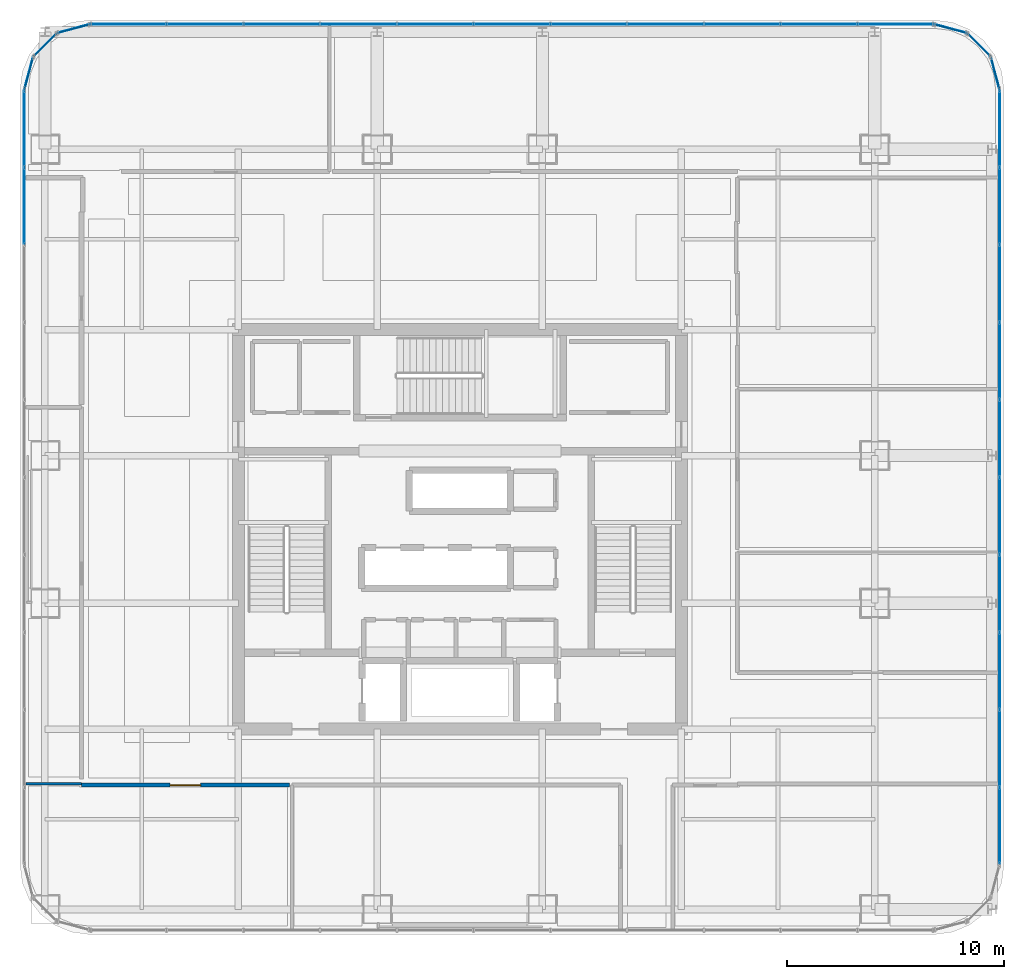
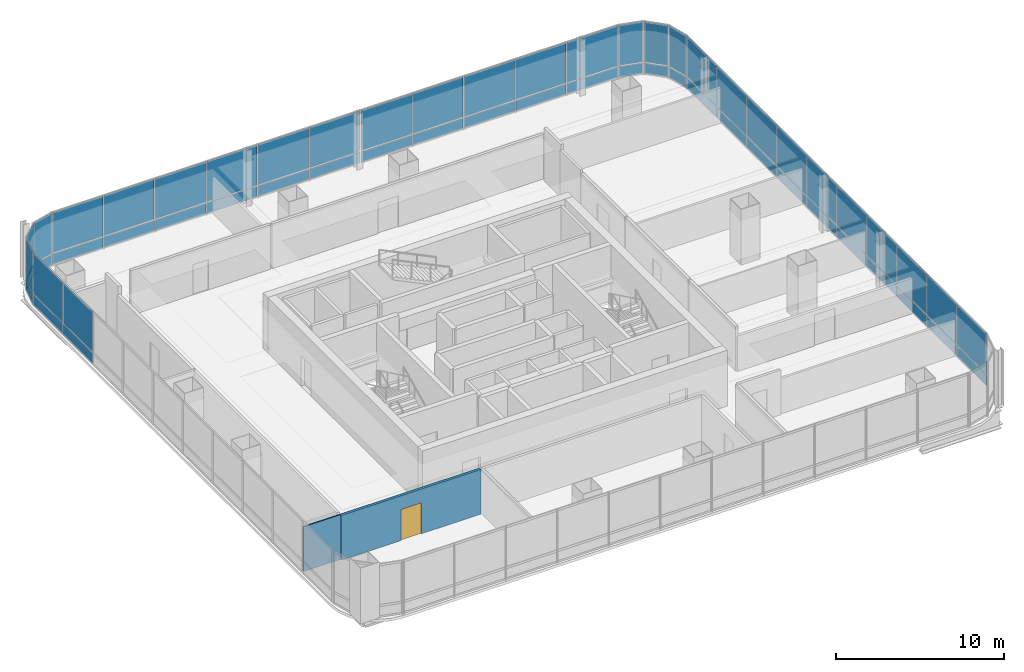
# One storey, part 32 of 42: 58 plates, 2 walls, 1 door, 1 opening, 9 elements without a shape of their own.
"""IFC4 building model written with IfcOpenShell, lengths in metres."""

import ifcopenshell
import ifcopenshell.guid

model = None  # the IFC model being written
_history = None  # IfcOwnerHistory: only IFC2X3 demands one
_inside = {}  # id of a spatial element -> (the spatial element, [elements in it])
_under = {}  # id of a project, library or spatial element -> (it, [spatial elements below it])
_declared = {}  # id of a project -> (the project, [libraries it declares])
_typed = {}  # id of a type object -> (the type object, [elements of that type])
_made_of = {}  # id of a material, layer set ... -> (it, [elements and type objects made of it])


def new_model(schema):
    """Start an empty IFC model of exactly this schema.

    Asked for "IFC4X3", IfcOpenShell would pick the latest addendum, in which some entities
    have other attributes; the version numbers below select the first issue.
    IFC2X3 requires an IfcOwnerHistory on every rooted entity: one is made here for all.
    """
    global model, _history
    if schema == "IFC4X3":
        model = ifcopenshell.file(schema_version=(4, 3, 0, 0))
    else:
        model = ifcopenshell.file(schema=schema)
    _inside.clear()
    _under.clear()
    _declared.clear()
    _typed.clear()
    _made_of.clear()
    _history = None
    if model.schema == "IFC2X3":
        org = make("IfcOrganization", Name="unknown")
        user = make(
            "IfcPersonAndOrganization",
            ThePerson=make("IfcPerson", FamilyName="unknown"),
            TheOrganization=org,
        )
        app = make(
            "IfcApplication",
            ApplicationDeveloper=org,
            Version="unknown",
            ApplicationFullName="unknown",
            ApplicationIdentifier="unknown",
        )
        _history = make(
            "IfcOwnerHistory",
            OwningUser=user,
            OwningApplication=app,
            ChangeAction="ADDED",
            CreationDate=0,
        )
    return model


def make(cls, **values):
    """One entity of the class cls with the attributes given. An attribute that is None is left unset."""
    return model.create_entity(
        cls, **{name: value for name, value in values.items() if value is not None}
    )


def rooted(cls, **values):
    """An entity with a GlobalId (a new one), such as an element, a storey or a relation."""
    return make(cls, GlobalId=ifcopenshell.guid.new(), OwnerHistory=_history, **values)


def si_unit(unit_type, name, prefix=None):
    """IfcSIUnit, for example si_unit("LENGTHUNIT", "METRE", prefix="MILLI")."""
    return make("IfcSIUnit", UnitType=unit_type, Prefix=prefix, Name=name)


def assignment(units):
    """IfcUnitAssignment: the units of a project."""
    return None if units is None else make("IfcUnitAssignment", Units=units)


def point(xyz):
    """IfcCartesianPoint."""
    return None if xyz is None else make("IfcCartesianPoint", Coordinates=xyz)


def direction(xyz):
    """IfcDirection."""
    return None if xyz is None else make("IfcDirection", DirectionRatios=xyz)


def frame(location, z_axis=None, x_axis=None):
    """IfcAxis2Placement3D, a coordinate frame: its origin and axes. An axis left out is left unset."""
    return make(
        "IfcAxis2Placement3D",
        Location=point(location),
        Axis=direction(z_axis),
        RefDirection=direction(x_axis),
    )


def frame_2d(location, x_axis=None):
    """IfcAxis2Placement2D, a coordinate frame in the plane: its origin and x axis."""
    return make(
        "IfcAxis2Placement2D", Location=point(location), RefDirection=direction(x_axis)
    )


def origin():
    """The frame at (0, 0, 0) with its axes left unset."""
    return frame((0.0, 0.0, 0.0))


def origin_2d():
    """The frame at (0, 0) in the plane with its x axis left unset."""
    return frame_2d((0.0, 0.0))


def place(relative_to, where):
    """IfcLocalPlacement: puts the frame where relative to a parent placement (None: the world)."""
    return make(
        "IfcLocalPlacement", PlacementRelTo=relative_to, RelativePlacement=where
    )


def context(
    kind, dimensions, precision=None, world=None, true_north=None, identifier=None
):
    """IfcGeometricRepresentationContext, for example the 3D "Model" context."""
    return make(
        "IfcGeometricRepresentationContext",
        ContextIdentifier=identifier,
        ContextType=kind,
        CoordinateSpaceDimension=dimensions,
        Precision=precision,
        WorldCoordinateSystem=world,
        TrueNorth=true_north,
    )


def subcontext(parent, identifier, kind, view, scale=None):
    """IfcGeometricRepresentationSubContext, for example "Body" below "Model"."""
    return make(
        "IfcGeometricRepresentationSubContext",
        ContextIdentifier=identifier,
        ContextType=kind,
        ParentContext=parent,
        TargetScale=scale,
        TargetView=view,
    )


def project(units=None, contexts=None):
    """IfcProject with its units and contexts."""
    return rooted(
        "IfcProject",
        Name="project",
        RepresentationContexts=contexts,
        UnitsInContext=assignment(units),
    )


def spatial(cls, under=None, at=None, **own):
    """A site, building, storey or space (cls), placed at a placement, below another one or the project."""
    s = rooted(cls, ObjectPlacement=at, **own)
    if under is not None:
        _under.setdefault(under.id(), (under, []))[1].append(s)
    return s


def profile(cls, at=None, kind="AREA", **sizes):
    """A parametric profile (cls). Its sizes go by their IFC names, for example OverallWidth=200.0."""
    return make(cls, ProfileType=kind, Position=at, **sizes)


def rectangle(**sizes):
    """IfcRectangleProfileDef."""
    return profile("IfcRectangleProfileDef", **sizes)


def extrude(swept, where, along, depth):
    """IfcExtrudedAreaSolid: the profile swept, set in the frame where, extruded along a direction by depth."""
    return make(
        "IfcExtrudedAreaSolid",
        SweptArea=swept,
        Position=where,
        ExtrudedDirection=direction(along),
        Depth=depth,
    )


def shape(context_of_items, identifier, shape_type, items):
    """IfcShapeRepresentation: the items that make up one representation, for example the "Body"."""
    return make(
        "IfcShapeRepresentation",
        ContextOfItems=context_of_items,
        RepresentationIdentifier=identifier,
        RepresentationType=shape_type,
        Items=items,
    )


def material(Name=None, Category=None):
    """IfcMaterial."""
    return make("IfcMaterial", Name=Name, Category=Category)


def layer(
    of_material, thickness, ventilated=None, Name=None, Category=None, Priority=None
):
    """IfcMaterialLayer: one layer of a wall or slab, of a material (None: an air gap)."""
    return make(
        "IfcMaterialLayer",
        Material=of_material,
        LayerThickness=thickness,
        IsVentilated=ventilated,
        Name=Name,
        Category=Category,
        Priority=Priority,
    )


def layer_set(layers, Name=None):
    """IfcMaterialLayerSet."""
    return make("IfcMaterialLayerSet", MaterialLayers=layers, LayerSetName=Name)


def made_of(thing, what):
    """Note that an element or type object is made of a material, layer set ...; save() writes the relation."""
    if what is not None:
        _made_of.setdefault(what.id(), (what, []))[1].append(thing)
    return thing


def type_object(cls, material=None, **own):
    """A type object (cls), such as IfcWallType, which elements share."""
    return made_of(rooted(cls, **own), material)


def element(
    cls,
    number,
    at=None,
    inside=None,
    cuts=None,
    type_object=None,
    material=None,
    context=None,
    identifier="Body",
    shape_type=None,
    held_by="IfcProductDefinitionShape",
    body=None,
    shapes=None,
    **own,
):
    """One element of the class cls, such as IfcWall. Its Tag is "e" and its number.

    at: its placement. inside: the storey or other place that contains it. cuts: it is an
    opening in that element (IfcRelVoidsElement). A single representation is given by context,
    identifier, shape_type and body (its items); several are given by shapes. held_by: the class
    of the entity that holds the representations. save() writes the other relations.
    """
    e = rooted(cls, Tag="e%d" % number, ObjectPlacement=at, **own)
    if body is not None:
        shapes = [shape(context, identifier, shape_type, body)]
    if shapes is not None:
        e.Representation = make(held_by, Representations=shapes)
    if inside is not None:
        _inside.setdefault(inside.id(), (inside, []))[1].append(e)
    if cuts is not None:
        rooted(
            "IfcRelVoidsElement", RelatingBuildingElement=cuts, RelatedOpeningElement=e
        )
    if type_object is not None:
        _typed.setdefault(type_object.id(), (type_object, []))[1].append(e)
    return made_of(e, material)


def fill(opening, filler):
    """IfcRelFillsElement: the door or window that sits in an opening."""
    return rooted(
        "IfcRelFillsElement",
        RelatingOpeningElement=opening,
        RelatedBuildingElement=filler,
    )


def aggregate(whole, parts):
    """IfcRelAggregates: a whole, such as a stair, and the parts it consists of."""
    return rooted("IfcRelAggregates", RelatingObject=whole, RelatedObjects=parts)


def save(model, path):
    """Write the relations noted so far, then the file.

    IfcRelAggregates (storeys below a building ...), IfcRelContainedInSpatialStructure (elements
    in a storey), IfcRelDefinesByType, IfcRelAssociatesMaterial and IfcRelDeclares: one each for
    every whole, place, type object, material and project.
    """
    for whole, parts in _under.values():
        aggregate(whole, parts)
    for where, things in _inside.values():
        rooted(
            "IfcRelContainedInSpatialStructure",
            RelatedElements=things,
            RelatingStructure=where,
        )
    for kind, things in _typed.values():
        rooted("IfcRelDefinesByType", RelatedObjects=things, RelatingType=kind)
    for what, things in _made_of.values():
        rooted("IfcRelAssociatesMaterial", RelatedObjects=things, RelatingMaterial=what)
    for by, libraries in _declared.values():
        rooted("IfcRelDeclares", RelatingContext=by, RelatedDefinitions=libraries)
    model.write(path)


model = new_model("IFC4")

# Units and contexts
model_context = context("Model", 3, precision=1e-05, world=origin(), true_north=direction((0.0, 1.0)))
body_context = subcontext(model_context, "Body", "Model", "MODEL_VIEW")
ifc_project = project(units=[si_unit("LENGTHUNIT", "METRE"), si_unit("AREAUNIT", "SQUARE_METRE"), si_unit("VOLUMEUNIT", "CUBIC_METRE"), si_unit("PLANEANGLEUNIT", "RADIAN"), si_unit("MASSUNIT", "GRAM", prefix="KILO")], contexts=[model_context])

# Site, building, storey
site_placement = place(None, origin())
site = spatial("IfcSite", under=ifc_project, at=site_placement, CompositionType="ELEMENT")
building_placement = place(site_placement, origin())
building = spatial("IfcBuilding", under=site, at=building_placement, Name="Punatoya Terracotta Tower", CompositionType="ELEMENT")
storey_placement = place(building_placement, frame((0.0, 0.0, 259.5)))
storey = spatial("IfcBuildingStorey", under=building, at=storey_placement, Name="L61", CompositionType="ELEMENT", Elevation=259.5)

# Curtain wall, plates
ifc_material_1 = material(Name="Aluminium 6063-T6 + Double Low-E Glass", Category="aluminium")
curtain_wall_type = type_object("IfcCurtainWallType", Name="CW-M3", PredefinedType="NOTDEFINED", material=ifc_material_1)
curtain_wall_1_placement = place(storey_placement, origin())
curtain_wall_1 = element("IfcCurtainWall", 1, at=curtain_wall_1_placement, inside=storey, type_object=curtain_wall_type, Name="L61 Curtain Wall CW-L61-E05-1", PredefinedType="NOTDEFINED")
ifc_material_2 = material(Name="Double Low-E Acoustic Vision Glass", Category="glass")
ifc_layer_1 = layer(ifc_material_2, 0.031982421875)
ifc_layer_set_1 = layer_set([ifc_layer_1], Name="Double Low-E Acoustic Vision Glass")
plate_type_1 = type_object("IfcPlateType", Name="PLT-GLZ-32", PredefinedType="CURTAIN_PANEL", material=ifc_layer_set_1)
plate_1_placement = place(storey_placement, frame((24.85009765625, -13.6533203125, 0.89013671875), z_axis=(0.0, 0.0, 1.0), x_axis=(0.0, 1.0, 0.0)))
plate_1 = element("IfcPlate", 2, at=plate_1_placement, type_object=plate_type_1, Name="CW-L61-E05-1 Vision Glass Panel 1", PredefinedType="CURTAIN_PANEL", context=body_context, shape_type="SweptSolid", body=[
    extrude(rectangle(XDim=3.482421875, YDim=0.031982421875, at=origin_2d()), origin(), (0.0, 0.0, 1.0), 2.919921875),
])
plate_2_placement = place(storey_placement, frame((24.85009765625, -10.085693359375, 0.89013671875), z_axis=(0.0, 0.0, 1.0), x_axis=(0.0, 1.0, 0.0)))
plate_2 = element("IfcPlate", 3, at=plate_2_placement, type_object=plate_type_1, Name="CW-L61-E05-1 Vision Glass Panel 2", PredefinedType="CURTAIN_PANEL", context=body_context, shape_type="SweptSolid", body=[
    extrude(rectangle(XDim=3.482421875, YDim=0.031982421875, at=origin_2d()), origin(), (0.0, 0.0, 1.0), 2.919921875),
])
plate_3_placement = place(storey_placement, frame((24.85009765625, -6.518310546875, 0.89013671875), z_axis=(0.0, 0.0, 1.0), x_axis=(0.0, 1.0, 0.0)))
plate_3 = element("IfcPlate", 4, at=plate_3_placement, type_object=plate_type_1, Name="CW-L61-E05-1 Vision Glass Panel 3", PredefinedType="CURTAIN_PANEL", context=body_context, shape_type="SweptSolid", body=[
    extrude(rectangle(XDim=3.482421875, YDim=0.031982421875, at=origin_2d()), origin(), (0.0, 0.0, 1.0), 2.919921875),
])
plate_4_placement = place(storey_placement, frame((24.85009765625, -2.951171875, 0.89013671875), z_axis=(0.0, 0.0, 1.0), x_axis=(0.0, 1.0, 0.0)))
plate_4 = element("IfcPlate", 5, at=plate_4_placement, type_object=plate_type_1, Name="CW-L61-E05-1 Vision Glass Panel 4", PredefinedType="CURTAIN_PANEL", context=body_context, shape_type="SweptSolid", body=[
    extrude(rectangle(XDim=3.482421875, YDim=0.031982421875, at=origin_2d()), origin(), (0.0, 0.0, 1.0), 2.919921875),
])
plate_5_placement = place(storey_placement, frame((24.85009765625, 0.6162109375, 0.89013671875), z_axis=(0.0, 0.0, 1.0), x_axis=(0.0, 1.0, 0.0)))
plate_5 = element("IfcPlate", 6, at=plate_5_placement, type_object=plate_type_1, Name="CW-L61-E05-1 Vision Glass Panel 5", PredefinedType="CURTAIN_PANEL", context=body_context, shape_type="SweptSolid", body=[
    extrude(rectangle(XDim=3.482421875, YDim=0.031982421875, at=origin_2d()), origin(), (0.0, 0.0, 1.0), 2.919921875),
])
plate_6_placement = place(storey_placement, frame((24.85009765625, 4.18359375, 0.89013671875), z_axis=(0.0, 0.0, 1.0), x_axis=(0.0, 1.0, 0.0)))
plate_6 = element("IfcPlate", 7, at=plate_6_placement, type_object=plate_type_1, Name="CW-L61-E05-1 Vision Glass Panel 6", PredefinedType="CURTAIN_PANEL", context=body_context, shape_type="SweptSolid", body=[
    extrude(rectangle(XDim=3.482421875, YDim=0.031982421875, at=origin_2d()), origin(), (0.0, 0.0, 1.0), 2.919921875),
])
plate_7_placement = place(storey_placement, frame((24.85009765625, 7.751220703125, 0.89013671875), z_axis=(0.0, 0.0, 1.0), x_axis=(0.0, 1.0, 0.0)))
plate_7 = element("IfcPlate", 8, at=plate_7_placement, type_object=plate_type_1, Name="CW-L61-E05-1 Vision Glass Panel 7", PredefinedType="CURTAIN_PANEL", context=body_context, shape_type="SweptSolid", body=[
    extrude(rectangle(XDim=3.482421875, YDim=0.031982421875, at=origin_2d()), origin(), (0.0, 0.0, 1.0), 2.919921875),
])
plate_8_placement = place(storey_placement, frame((24.85009765625, 11.318359375, 0.89013671875), z_axis=(0.0, 0.0, 1.0), x_axis=(0.0, 1.0, 0.0)))
plate_8 = element("IfcPlate", 9, at=plate_8_placement, type_object=plate_type_1, Name="CW-L61-E05-1 Vision Glass Panel 8", PredefinedType="CURTAIN_PANEL", context=body_context, shape_type="SweptSolid", body=[
    extrude(rectangle(XDim=3.482421875, YDim=0.031982421875, at=origin_2d()), origin(), (0.0, 0.0, 1.0), 2.919921875),
])
plate_9_placement = place(storey_placement, frame((24.85009765625, 14.8857421875, 0.89013671875), z_axis=(0.0, 0.0, 1.0), x_axis=(0.0, 1.0, 0.0)))
plate_9 = element("IfcPlate", 10, at=plate_9_placement, type_object=plate_type_1, Name="CW-L61-E05-1 Vision Glass Panel 9", PredefinedType="CURTAIN_PANEL", context=body_context, shape_type="SweptSolid", body=[
    extrude(rectangle(XDim=3.482421875, YDim=0.031982421875, at=origin_2d()), origin(), (0.0, 0.0, 1.0), 2.919921875),
])
plate_10_placement = place(storey_placement, frame((24.85009765625, 18.453125, 0.89013671875), z_axis=(0.0, 0.0, 1.0), x_axis=(0.0, 1.0, 0.0)))
plate_10 = element("IfcPlate", 11, at=plate_10_placement, type_object=plate_type_1, Name="CW-L61-E05-1 Vision Glass Panel 10", PredefinedType="CURTAIN_PANEL", context=body_context, shape_type="SweptSolid", body=[
    extrude(rectangle(XDim=3.482421875, YDim=0.031982421875, at=origin_2d()), origin(), (0.0, 0.0, 1.0), 2.919921875),
])

# Curtain wall, plate
curtain_wall_2_placement = place(storey_placement, origin())
curtain_wall_2 = element("IfcCurtainWall", 12, at=curtain_wall_2_placement, inside=storey, type_object=curtain_wall_type, Name="L61 Curtain Wall CW-L61-CRN06", PredefinedType="NOTDEFINED")
plate_11_placement = place(storey_placement, frame((24.648193359375, 20.992919921875, 0.89013671875), z_axis=(0.0, 0.0, 1.0), x_axis=(-0.257741620719, 0.966213877436, 0.0)))
plate_11 = element("IfcPlate", 13, at=plate_11_placement, type_object=plate_type_1, Name="CW-L61-CRN06 Vision Glass Panel 1", PredefinedType="CURTAIN_PANEL", context=body_context, shape_type="SweptSolid", body=[
    extrude(rectangle(XDim=1.47998046875, YDim=0.031982421875, at=origin_2d()), origin(), (0.0, 0.0, 1.0), 2.919921875),
])

curtain_wall_3_placement = place(storey_placement, origin())
curtain_wall_3 = element("IfcCurtainWall", 14, at=curtain_wall_3_placement, inside=storey, type_object=curtain_wall_type, Name="L61 Curtain Wall CW-L61-CRN07", PredefinedType="NOTDEFINED")
plate_12_placement = place(storey_placement, frame((23.89794921875, 22.2978515625, 0.89013671875), z_axis=(0.0, 0.0, 1.0), x_axis=(-0.707106781187, 0.707106781187, 0.0)))
plate_12 = element("IfcPlate", 15, at=plate_12_placement, type_object=plate_type_1, Name="CW-L61-CRN07 Vision Glass Panel 1", PredefinedType="CURTAIN_PANEL", context=body_context, shape_type="SweptSolid", body=[
    extrude(rectangle(XDim=1.467041015625, YDim=0.031982421875, at=origin_2d()), origin(), (0.0, 0.0, 1.0), 2.919921875),
])

curtain_wall_4_placement = place(storey_placement, origin())
curtain_wall_4 = element("IfcCurtainWall", 16, at=curtain_wall_4_placement, inside=storey, type_object=curtain_wall_type, Name="L61 Curtain Wall CW-L61-CRN08", PredefinedType="NOTDEFINED")
plate_13_placement = place(storey_placement, frame((22.593017578125, 23.04833984375, 0.89013671875), z_axis=(0.0, 0.0, 1.0), x_axis=(-0.966213877436, 0.257741620719, 0.0)))
plate_13 = element("IfcPlate", 17, at=plate_13_placement, type_object=plate_type_1, Name="CW-L61-CRN08 Vision Glass Panel 1", PredefinedType="CURTAIN_PANEL", context=body_context, shape_type="SweptSolid", body=[
    extrude(rectangle(XDim=1.47998046875, YDim=0.031982421875, at=origin_2d()), origin(), (0.0, 0.0, 1.0), 2.919921875),
])

# Curtain wall, plates
curtain_wall_5_placement = place(storey_placement, origin())
curtain_wall_5 = element("IfcCurtainWall", 18, at=curtain_wall_5_placement, inside=storey, type_object=curtain_wall_type, Name="L61 Curtain Wall CW-L61-N09-1", PredefinedType="NOTDEFINED")
plate_14_placement = place(storey_placement, frame((20.06982421875, 23.25, 0.89013671875), z_axis=(0.0, 0.0, 1.0), x_axis=(-1.0, 0.0, 0.0)))
plate_14 = element("IfcPlate", 19, at=plate_14_placement, type_object=plate_type_1, Name="CW-L61-N09-1 Vision Glass Panel 1", PredefinedType="CURTAIN_PANEL", context=body_context, shape_type="SweptSolid", body=[
    extrude(rectangle(XDim=3.448974609375, YDim=0.031982421875, at=origin_2d()), origin(), (0.0, 0.0, 1.0), 2.919921875),
])
plate_15_placement = place(storey_placement, frame((16.535888671875, 23.25, 0.89013671875), z_axis=(0.0, 0.0, 1.0), x_axis=(-1.0, 0.0, 0.0)))
plate_15 = element("IfcPlate", 20, at=plate_15_placement, type_object=plate_type_1, Name="CW-L61-N09-1 Vision Glass Panel 2", PredefinedType="CURTAIN_PANEL", context=body_context, shape_type="SweptSolid", body=[
    extrude(rectangle(XDim=3.448974609375, YDim=0.031982421875, at=origin_2d()), origin(), (0.0, 0.0, 1.0), 2.919921875),
])
plate_16_placement = place(storey_placement, frame((13.001953125, 23.25, 0.89013671875), z_axis=(0.0, 0.0, 1.0), x_axis=(-1.0, 0.0, 0.0)))
plate_16 = element("IfcPlate", 21, at=plate_16_placement, type_object=plate_type_1, Name="CW-L61-N09-1 Vision Glass Panel 3", PredefinedType="CURTAIN_PANEL", context=body_context, shape_type="SweptSolid", body=[
    extrude(rectangle(XDim=3.448974609375, YDim=0.031982421875, at=origin_2d()), origin(), (0.0, 0.0, 1.0), 2.919921875),
])
plate_17_placement = place(storey_placement, frame((9.468017578125, 23.25, 0.89013671875), z_axis=(0.0, 0.0, 1.0), x_axis=(-1.0, 0.0, 0.0)))
plate_17 = element("IfcPlate", 22, at=plate_17_placement, type_object=plate_type_1, Name="CW-L61-N09-1 Vision Glass Panel 4", PredefinedType="CURTAIN_PANEL", context=body_context, shape_type="SweptSolid", body=[
    extrude(rectangle(XDim=3.448974609375, YDim=0.031982421875, at=origin_2d()), origin(), (0.0, 0.0, 1.0), 2.919921875),
])
plate_18_placement = place(storey_placement, frame((5.93408203125, 23.25, 0.89013671875), z_axis=(0.0, 0.0, 1.0), x_axis=(-1.0, 0.0, 0.0)))
plate_18 = element("IfcPlate", 23, at=plate_18_placement, type_object=plate_type_1, Name="CW-L61-N09-1 Vision Glass Panel 5", PredefinedType="CURTAIN_PANEL", context=body_context, shape_type="SweptSolid", body=[
    extrude(rectangle(XDim=3.448974609375, YDim=0.031982421875, at=origin_2d()), origin(), (0.0, 0.0, 1.0), 2.919921875),
])
plate_19_placement = place(storey_placement, frame((2.39990234375, 23.25, 0.89013671875), z_axis=(0.0, 0.0, 1.0), x_axis=(-1.0, 0.0, 0.0)))
plate_19 = element("IfcPlate", 24, at=plate_19_placement, type_object=plate_type_1, Name="CW-L61-N09-1 Vision Glass Panel 6", PredefinedType="CURTAIN_PANEL", context=body_context, shape_type="SweptSolid", body=[
    extrude(rectangle(XDim=3.448974609375, YDim=0.031982421875, at=origin_2d()), origin(), (0.0, 0.0, 1.0), 2.919921875),
])
plate_20_placement = place(storey_placement, frame((-1.134033203125, 23.25, 0.89013671875), z_axis=(0.0, 0.0, 1.0), x_axis=(-1.0, 0.0, 0.0)))
plate_20 = element("IfcPlate", 25, at=plate_20_placement, type_object=plate_type_1, Name="CW-L61-N09-1 Vision Glass Panel 7", PredefinedType="CURTAIN_PANEL", context=body_context, shape_type="SweptSolid", body=[
    extrude(rectangle(XDim=3.448974609375, YDim=0.031982421875, at=origin_2d()), origin(), (0.0, 0.0, 1.0), 2.919921875),
])
plate_21_placement = place(storey_placement, frame((-4.66796875, 23.25, 0.89013671875), z_axis=(0.0, 0.0, 1.0), x_axis=(-1.0, 0.0, 0.0)))
plate_21 = element("IfcPlate", 26, at=plate_21_placement, type_object=plate_type_1, Name="CW-L61-N09-1 Vision Glass Panel 8", PredefinedType="CURTAIN_PANEL", context=body_context, shape_type="SweptSolid", body=[
    extrude(rectangle(XDim=3.448974609375, YDim=0.031982421875, at=origin_2d()), origin(), (0.0, 0.0, 1.0), 2.919921875),
])
plate_22_placement = place(storey_placement, frame((-8.201904296875, 23.25, 0.89013671875), z_axis=(0.0, 0.0, 1.0), x_axis=(-1.0, 0.0, 0.0)))
plate_22 = element("IfcPlate", 27, at=plate_22_placement, type_object=plate_type_1, Name="CW-L61-N09-1 Vision Glass Panel 9", PredefinedType="CURTAIN_PANEL", context=body_context, shape_type="SweptSolid", body=[
    extrude(rectangle(XDim=3.448974609375, YDim=0.031982421875, at=origin_2d()), origin(), (0.0, 0.0, 1.0), 2.919921875),
])
plate_23_placement = place(storey_placement, frame((-11.73583984375, 23.25, 0.89013671875), z_axis=(0.0, 0.0, 1.0), x_axis=(-1.0, 0.0, 0.0)))
plate_23 = element("IfcPlate", 28, at=plate_23_placement, type_object=plate_type_1, Name="CW-L61-N09-1 Vision Glass Panel 10", PredefinedType="CURTAIN_PANEL", context=body_context, shape_type="SweptSolid", body=[
    extrude(rectangle(XDim=3.448974609375, YDim=0.031982421875, at=origin_2d()), origin(), (0.0, 0.0, 1.0), 2.919921875),
])
plate_24_placement = place(storey_placement, frame((-15.27001953125, 23.25, 0.89013671875), z_axis=(0.0, 0.0, 1.0), x_axis=(-1.0, 0.0, 0.0)))
plate_24 = element("IfcPlate", 29, at=plate_24_placement, type_object=plate_type_1, Name="CW-L61-N09-1 Vision Glass Panel 11", PredefinedType="CURTAIN_PANEL", context=body_context, shape_type="SweptSolid", body=[
    extrude(rectangle(XDim=3.448974609375, YDim=0.031982421875, at=origin_2d()), origin(), (0.0, 0.0, 1.0), 2.919921875),
])

# Curtain wall, plate
curtain_wall_6_placement = place(storey_placement, origin())
curtain_wall_6 = element("IfcCurtainWall", 30, at=curtain_wall_6_placement, inside=storey, type_object=curtain_wall_type, Name="L61 Curtain Wall CW-L61-CRN10", PredefinedType="NOTDEFINED")
plate_25_placement = place(storey_placement, frame((-17.79296875, 23.04833984375, 0.89013671875), z_axis=(0.0, 0.0, 1.0), x_axis=(-0.966213877436, -0.257741620719, 0.0)))
plate_25 = element("IfcPlate", 31, at=plate_25_placement, type_object=plate_type_1, Name="CW-L61-CRN10 Vision Glass Panel 1", PredefinedType="CURTAIN_PANEL", context=body_context, shape_type="SweptSolid", body=[
    extrude(rectangle(XDim=1.47998046875, YDim=0.031982421875, at=origin_2d()), origin(), (0.0, 0.0, 1.0), 2.919921875),
])

curtain_wall_7_placement = place(storey_placement, origin())
curtain_wall_7 = element("IfcCurtainWall", 32, at=curtain_wall_7_placement, inside=storey, type_object=curtain_wall_type, Name="L61 Curtain Wall CW-L61-CRN11", PredefinedType="NOTDEFINED")
plate_26_placement = place(storey_placement, frame((-19.097900390625, 22.2978515625, 0.89013671875), z_axis=(0.0, 0.0, 1.0), x_axis=(-0.707106781187, -0.707106781187, 0.0)))
plate_26 = element("IfcPlate", 33, at=plate_26_placement, type_object=plate_type_1, Name="CW-L61-CRN11 Vision Glass Panel 1", PredefinedType="CURTAIN_PANEL", context=body_context, shape_type="SweptSolid", body=[
    extrude(rectangle(XDim=1.467041015625, YDim=0.031982421875, at=origin_2d()), origin(), (0.0, 0.0, 1.0), 2.919921875),
])

curtain_wall_8_placement = place(storey_placement, origin())
curtain_wall_8 = element("IfcCurtainWall", 34, at=curtain_wall_8_placement, inside=storey, type_object=curtain_wall_type, Name="L61 Curtain Wall CW-L61-CRN12", PredefinedType="NOTDEFINED")
plate_27_placement = place(storey_placement, frame((-19.848388671875, 20.992919921875, 0.89013671875), z_axis=(0.0, 0.0, 1.0), x_axis=(-0.257741620719, -0.966213877436, 0.0)))
plate_27 = element("IfcPlate", 35, at=plate_27_placement, type_object=plate_type_1, Name="CW-L61-CRN12 Vision Glass Panel 1", PredefinedType="CURTAIN_PANEL", context=body_context, shape_type="SweptSolid", body=[
    extrude(rectangle(XDim=1.47998046875, YDim=0.031982421875, at=origin_2d()), origin(), (0.0, 0.0, 1.0), 2.919921875),
])

# Curtain wall, plates
curtain_wall_9_placement = place(storey_placement, origin())
curtain_wall_9 = element("IfcCurtainWall", 36, at=curtain_wall_9_placement, inside=storey, type_object=curtain_wall_type, Name="L61 Curtain Wall CW-L61-W13-1", PredefinedType="NOTDEFINED")
plate_28_placement = place(storey_placement, frame((-20.050048828125, 18.453125, 0.89013671875), z_axis=(0.0, 0.0, 1.0), x_axis=(0.0, -1.0, 0.0)))
plate_28 = element("IfcPlate", 37, at=plate_28_placement, type_object=plate_type_1, Name="CW-L61-W13-1 Vision Glass Panel 1", PredefinedType="CURTAIN_PANEL", context=body_context, shape_type="SweptSolid", body=[
    extrude(rectangle(XDim=3.482421875, YDim=0.031982421875, at=origin_2d()), origin(), (0.0, 0.0, 1.0), 2.919921875),
])
plate_29_placement = place(storey_placement, frame((-20.050048828125, 14.8857421875, 0.89013671875), z_axis=(0.0, 0.0, 1.0), x_axis=(0.0, -1.0, 0.0)))
plate_29 = element("IfcPlate", 38, at=plate_29_placement, type_object=plate_type_1, Name="CW-L61-W13-1 Vision Glass Panel 2", PredefinedType="CURTAIN_PANEL", context=body_context, shape_type="SweptSolid", body=[
    extrude(rectangle(XDim=3.482421875, YDim=0.031982421875, at=origin_2d()), origin(), (0.0, 0.0, 1.0), 2.919921875),
])

# Plate
ifc_material_3 = material(Name="Insulated Terracotta-Backed Spandrel Panel", Category="masonry")
ifc_layer_2 = layer(ifc_material_3, 0.044921875)
ifc_layer_set_2 = layer_set([ifc_layer_2], Name="Insulated Terracotta-Backed Spandrel Panel")
plate_type_2 = type_object("IfcPlateType", Name="PLT-SPN-45", PredefinedType="CURTAIN_PANEL", material=ifc_layer_set_2)
plate_30_placement = place(storey_placement, frame((24.85009765625, -13.6533203125, 0.0400390625), z_axis=(0.0, 0.0, 1.0), x_axis=(0.0, 1.0, 0.0)))
plate_30 = element("IfcPlate", 39, at=plate_30_placement, type_object=plate_type_2, Name="CW-L61-E05-1 Terracotta Spandrel Panel 1", PredefinedType="CURTAIN_PANEL", context=body_context, shape_type="SweptSolid", body=[
    extrude(rectangle(XDim=3.482421875, YDim=0.044921875, at=origin_2d()), origin(), (0.0, 0.0, 1.0), 0.77490234375),
])

plate_31_placement = place(storey_placement, frame((24.85009765625, -10.085693359375, 0.0400390625), z_axis=(0.0, 0.0, 1.0), x_axis=(0.0, 1.0, 0.0)))
plate_31 = element("IfcPlate", 40, at=plate_31_placement, type_object=plate_type_2, Name="CW-L61-E05-1 Terracotta Spandrel Panel 2", PredefinedType="CURTAIN_PANEL", context=body_context, shape_type="SweptSolid", body=[
    extrude(rectangle(XDim=3.482421875, YDim=0.044921875, at=origin_2d()), origin(), (0.0, 0.0, 1.0), 0.77490234375),
])

plate_32_placement = place(storey_placement, frame((24.85009765625, -6.518310546875, 0.0400390625), z_axis=(0.0, 0.0, 1.0), x_axis=(0.0, 1.0, 0.0)))
plate_32 = element("IfcPlate", 41, at=plate_32_placement, type_object=plate_type_2, Name="CW-L61-E05-1 Terracotta Spandrel Panel 3", PredefinedType="CURTAIN_PANEL", context=body_context, shape_type="SweptSolid", body=[
    extrude(rectangle(XDim=3.482421875, YDim=0.044921875, at=origin_2d()), origin(), (0.0, 0.0, 1.0), 0.77490234375),
])

plate_33_placement = place(storey_placement, frame((24.85009765625, -2.951171875, 0.0400390625), z_axis=(0.0, 0.0, 1.0), x_axis=(0.0, 1.0, 0.0)))
plate_33 = element("IfcPlate", 42, at=plate_33_placement, type_object=plate_type_2, Name="CW-L61-E05-1 Terracotta Spandrel Panel 4", PredefinedType="CURTAIN_PANEL", context=body_context, shape_type="SweptSolid", body=[
    extrude(rectangle(XDim=3.482421875, YDim=0.044921875, at=origin_2d()), origin(), (0.0, 0.0, 1.0), 0.77490234375),
])

plate_34_placement = place(storey_placement, frame((24.85009765625, 0.6162109375, 0.0400390625), z_axis=(0.0, 0.0, 1.0), x_axis=(0.0, 1.0, 0.0)))
plate_34 = element("IfcPlate", 43, at=plate_34_placement, type_object=plate_type_2, Name="CW-L61-E05-1 Terracotta Spandrel Panel 5", PredefinedType="CURTAIN_PANEL", context=body_context, shape_type="SweptSolid", body=[
    extrude(rectangle(XDim=3.482421875, YDim=0.044921875, at=origin_2d()), origin(), (0.0, 0.0, 1.0), 0.77490234375),
])

plate_35_placement = place(storey_placement, frame((24.85009765625, 4.18359375, 0.0400390625), z_axis=(0.0, 0.0, 1.0), x_axis=(0.0, 1.0, 0.0)))
plate_35 = element("IfcPlate", 44, at=plate_35_placement, type_object=plate_type_2, Name="CW-L61-E05-1 Terracotta Spandrel Panel 6", PredefinedType="CURTAIN_PANEL", context=body_context, shape_type="SweptSolid", body=[
    extrude(rectangle(XDim=3.482421875, YDim=0.044921875, at=origin_2d()), origin(), (0.0, 0.0, 1.0), 0.77490234375),
])

plate_36_placement = place(storey_placement, frame((24.85009765625, 7.751220703125, 0.0400390625), z_axis=(0.0, 0.0, 1.0), x_axis=(0.0, 1.0, 0.0)))
plate_36 = element("IfcPlate", 45, at=plate_36_placement, type_object=plate_type_2, Name="CW-L61-E05-1 Terracotta Spandrel Panel 7", PredefinedType="CURTAIN_PANEL", context=body_context, shape_type="SweptSolid", body=[
    extrude(rectangle(XDim=3.482421875, YDim=0.044921875, at=origin_2d()), origin(), (0.0, 0.0, 1.0), 0.77490234375),
])

plate_37_placement = place(storey_placement, frame((24.85009765625, 11.318359375, 0.0400390625), z_axis=(0.0, 0.0, 1.0), x_axis=(0.0, 1.0, 0.0)))
plate_37 = element("IfcPlate", 46, at=plate_37_placement, type_object=plate_type_2, Name="CW-L61-E05-1 Terracotta Spandrel Panel 8", PredefinedType="CURTAIN_PANEL", context=body_context, shape_type="SweptSolid", body=[
    extrude(rectangle(XDim=3.482421875, YDim=0.044921875, at=origin_2d()), origin(), (0.0, 0.0, 1.0), 0.77490234375),
])

plate_38_placement = place(storey_placement, frame((24.85009765625, 14.8857421875, 0.0400390625), z_axis=(0.0, 0.0, 1.0), x_axis=(0.0, 1.0, 0.0)))
plate_38 = element("IfcPlate", 47, at=plate_38_placement, type_object=plate_type_2, Name="CW-L61-E05-1 Terracotta Spandrel Panel 9", PredefinedType="CURTAIN_PANEL", context=body_context, shape_type="SweptSolid", body=[
    extrude(rectangle(XDim=3.482421875, YDim=0.044921875, at=origin_2d()), origin(), (0.0, 0.0, 1.0), 0.77490234375),
])

plate_39_placement = place(storey_placement, frame((24.85009765625, 18.453125, 0.0400390625), z_axis=(0.0, 0.0, 1.0), x_axis=(0.0, 1.0, 0.0)))
plate_39 = element("IfcPlate", 48, at=plate_39_placement, type_object=plate_type_2, Name="CW-L61-E05-1 Terracotta Spandrel Panel 10", PredefinedType="CURTAIN_PANEL", context=body_context, shape_type="SweptSolid", body=[
    extrude(rectangle(XDim=3.482421875, YDim=0.044921875, at=origin_2d()), origin(), (0.0, 0.0, 1.0), 0.77490234375),
])

aggregate(curtain_wall_1, [plate_30, plate_1, plate_31, plate_2, plate_32, plate_3, plate_33, plate_4, plate_34, plate_5, plate_35, plate_6, plate_36, plate_7, plate_37, plate_8, plate_38, plate_9, plate_39, plate_10])

plate_40_placement = place(storey_placement, frame((24.648193359375, 20.992919921875, 0.0400390625), z_axis=(0.0, 0.0, 1.0), x_axis=(-0.257741620719, 0.966213877436, 0.0)))
plate_40 = element("IfcPlate", 49, at=plate_40_placement, type_object=plate_type_2, Name="CW-L61-CRN06 Terracotta Spandrel Panel 1", PredefinedType="CURTAIN_PANEL", context=body_context, shape_type="SweptSolid", body=[
    extrude(rectangle(XDim=1.47998046875, YDim=0.044921875, at=origin_2d()), origin(), (0.0, 0.0, 1.0), 0.77490234375),
])

aggregate(curtain_wall_2, [plate_40, plate_11])

plate_41_placement = place(storey_placement, frame((23.89794921875, 22.2978515625, 0.0400390625), z_axis=(0.0, 0.0, 1.0), x_axis=(-0.707106781187, 0.707106781187, 0.0)))
plate_41 = element("IfcPlate", 50, at=plate_41_placement, type_object=plate_type_2, Name="CW-L61-CRN07 Terracotta Spandrel Panel 1", PredefinedType="CURTAIN_PANEL", context=body_context, shape_type="SweptSolid", body=[
    extrude(rectangle(XDim=1.467041015625, YDim=0.044921875, at=origin_2d()), origin(), (0.0, 0.0, 1.0), 0.77490234375),
])

aggregate(curtain_wall_3, [plate_41, plate_12])

plate_42_placement = place(storey_placement, frame((22.593017578125, 23.04833984375, 0.0400390625), z_axis=(0.0, 0.0, 1.0), x_axis=(-0.966213877436, 0.257741620719, 0.0)))
plate_42 = element("IfcPlate", 51, at=plate_42_placement, type_object=plate_type_2, Name="CW-L61-CRN08 Terracotta Spandrel Panel 1", PredefinedType="CURTAIN_PANEL", context=body_context, shape_type="SweptSolid", body=[
    extrude(rectangle(XDim=1.47998046875, YDim=0.044921875, at=origin_2d()), origin(), (0.0, 0.0, 1.0), 0.77490234375),
])

aggregate(curtain_wall_4, [plate_42, plate_13])

plate_43_placement = place(storey_placement, frame((20.06982421875, 23.25, 0.0400390625), z_axis=(0.0, 0.0, 1.0), x_axis=(-1.0, 0.0, 0.0)))
plate_43 = element("IfcPlate", 52, at=plate_43_placement, type_object=plate_type_2, Name="CW-L61-N09-1 Terracotta Spandrel Panel 1", PredefinedType="CURTAIN_PANEL", context=body_context, shape_type="SweptSolid", body=[
    extrude(rectangle(XDim=3.448974609375, YDim=0.044921875, at=origin_2d()), origin(), (0.0, 0.0, 1.0), 0.77490234375),
])

plate_44_placement = place(storey_placement, frame((16.535888671875, 23.25, 0.0400390625), z_axis=(0.0, 0.0, 1.0), x_axis=(-1.0, 0.0, 0.0)))
plate_44 = element("IfcPlate", 53, at=plate_44_placement, type_object=plate_type_2, Name="CW-L61-N09-1 Terracotta Spandrel Panel 2", PredefinedType="CURTAIN_PANEL", context=body_context, shape_type="SweptSolid", body=[
    extrude(rectangle(XDim=3.448974609375, YDim=0.044921875, at=origin_2d()), origin(), (0.0, 0.0, 1.0), 0.77490234375),
])

plate_45_placement = place(storey_placement, frame((13.001953125, 23.25, 0.0400390625), z_axis=(0.0, 0.0, 1.0), x_axis=(-1.0, 0.0, 0.0)))
plate_45 = element("IfcPlate", 54, at=plate_45_placement, type_object=plate_type_2, Name="CW-L61-N09-1 Terracotta Spandrel Panel 3", PredefinedType="CURTAIN_PANEL", context=body_context, shape_type="SweptSolid", body=[
    extrude(rectangle(XDim=3.448974609375, YDim=0.044921875, at=origin_2d()), origin(), (0.0, 0.0, 1.0), 0.77490234375),
])

plate_46_placement = place(storey_placement, frame((9.468017578125, 23.25, 0.0400390625), z_axis=(0.0, 0.0, 1.0), x_axis=(-1.0, 0.0, 0.0)))
plate_46 = element("IfcPlate", 55, at=plate_46_placement, type_object=plate_type_2, Name="CW-L61-N09-1 Terracotta Spandrel Panel 4", PredefinedType="CURTAIN_PANEL", context=body_context, shape_type="SweptSolid", body=[
    extrude(rectangle(XDim=3.448974609375, YDim=0.044921875, at=origin_2d()), origin(), (0.0, 0.0, 1.0), 0.77490234375),
])

plate_47_placement = place(storey_placement, frame((5.93408203125, 23.25, 0.0400390625), z_axis=(0.0, 0.0, 1.0), x_axis=(-1.0, 0.0, 0.0)))
plate_47 = element("IfcPlate", 56, at=plate_47_placement, type_object=plate_type_2, Name="CW-L61-N09-1 Terracotta Spandrel Panel 5", PredefinedType="CURTAIN_PANEL", context=body_context, shape_type="SweptSolid", body=[
    extrude(rectangle(XDim=3.448974609375, YDim=0.044921875, at=origin_2d()), origin(), (0.0, 0.0, 1.0), 0.77490234375),
])

plate_48_placement = place(storey_placement, frame((2.39990234375, 23.25, 0.0400390625), z_axis=(0.0, 0.0, 1.0), x_axis=(-1.0, 0.0, 0.0)))
plate_48 = element("IfcPlate", 57, at=plate_48_placement, type_object=plate_type_2, Name="CW-L61-N09-1 Terracotta Spandrel Panel 6", PredefinedType="CURTAIN_PANEL", context=body_context, shape_type="SweptSolid", body=[
    extrude(rectangle(XDim=3.448974609375, YDim=0.044921875, at=origin_2d()), origin(), (0.0, 0.0, 1.0), 0.77490234375),
])

plate_49_placement = place(storey_placement, frame((-1.134033203125, 23.25, 0.0400390625), z_axis=(0.0, 0.0, 1.0), x_axis=(-1.0, 0.0, 0.0)))
plate_49 = element("IfcPlate", 58, at=plate_49_placement, type_object=plate_type_2, Name="CW-L61-N09-1 Terracotta Spandrel Panel 7", PredefinedType="CURTAIN_PANEL", context=body_context, shape_type="SweptSolid", body=[
    extrude(rectangle(XDim=3.448974609375, YDim=0.044921875, at=origin_2d()), origin(), (0.0, 0.0, 1.0), 0.77490234375),
])

plate_50_placement = place(storey_placement, frame((-4.66796875, 23.25, 0.0400390625), z_axis=(0.0, 0.0, 1.0), x_axis=(-1.0, 0.0, 0.0)))
plate_50 = element("IfcPlate", 59, at=plate_50_placement, type_object=plate_type_2, Name="CW-L61-N09-1 Terracotta Spandrel Panel 8", PredefinedType="CURTAIN_PANEL", context=body_context, shape_type="SweptSolid", body=[
    extrude(rectangle(XDim=3.448974609375, YDim=0.044921875, at=origin_2d()), origin(), (0.0, 0.0, 1.0), 0.77490234375),
])

plate_51_placement = place(storey_placement, frame((-8.201904296875, 23.25, 0.0400390625), z_axis=(0.0, 0.0, 1.0), x_axis=(-1.0, 0.0, 0.0)))
plate_51 = element("IfcPlate", 60, at=plate_51_placement, type_object=plate_type_2, Name="CW-L61-N09-1 Terracotta Spandrel Panel 9", PredefinedType="CURTAIN_PANEL", context=body_context, shape_type="SweptSolid", body=[
    extrude(rectangle(XDim=3.448974609375, YDim=0.044921875, at=origin_2d()), origin(), (0.0, 0.0, 1.0), 0.77490234375),
])

plate_52_placement = place(storey_placement, frame((-11.73583984375, 23.25, 0.0400390625), z_axis=(0.0, 0.0, 1.0), x_axis=(-1.0, 0.0, 0.0)))
plate_52 = element("IfcPlate", 61, at=plate_52_placement, type_object=plate_type_2, Name="CW-L61-N09-1 Terracotta Spandrel Panel 10", PredefinedType="CURTAIN_PANEL", context=body_context, shape_type="SweptSolid", body=[
    extrude(rectangle(XDim=3.448974609375, YDim=0.044921875, at=origin_2d()), origin(), (0.0, 0.0, 1.0), 0.77490234375),
])

plate_53_placement = place(storey_placement, frame((-15.27001953125, 23.25, 0.0400390625), z_axis=(0.0, 0.0, 1.0), x_axis=(-1.0, 0.0, 0.0)))
plate_53 = element("IfcPlate", 62, at=plate_53_placement, type_object=plate_type_2, Name="CW-L61-N09-1 Terracotta Spandrel Panel 11", PredefinedType="CURTAIN_PANEL", context=body_context, shape_type="SweptSolid", body=[
    extrude(rectangle(XDim=3.448974609375, YDim=0.044921875, at=origin_2d()), origin(), (0.0, 0.0, 1.0), 0.77490234375),
])

aggregate(curtain_wall_5, [plate_43, plate_14, plate_44, plate_15, plate_45, plate_16, plate_46, plate_17, plate_47, plate_18, plate_48, plate_19, plate_49, plate_20, plate_50, plate_21, plate_51, plate_22, plate_52, plate_23, plate_53, plate_24])

plate_54_placement = place(storey_placement, frame((-17.79296875, 23.04833984375, 0.0400390625), z_axis=(0.0, 0.0, 1.0), x_axis=(-0.966213877436, -0.257741620719, 0.0)))
plate_54 = element("IfcPlate", 63, at=plate_54_placement, type_object=plate_type_2, Name="CW-L61-CRN10 Terracotta Spandrel Panel 1", PredefinedType="CURTAIN_PANEL", context=body_context, shape_type="SweptSolid", body=[
    extrude(rectangle(XDim=1.47998046875, YDim=0.044921875, at=origin_2d()), origin(), (0.0, 0.0, 1.0), 0.77490234375),
])

aggregate(curtain_wall_6, [plate_54, plate_25])

plate_55_placement = place(storey_placement, frame((-19.097900390625, 22.2978515625, 0.0400390625), z_axis=(0.0, 0.0, 1.0), x_axis=(-0.707106781187, -0.707106781187, 0.0)))
plate_55 = element("IfcPlate", 64, at=plate_55_placement, type_object=plate_type_2, Name="CW-L61-CRN11 Terracotta Spandrel Panel 1", PredefinedType="CURTAIN_PANEL", context=body_context, shape_type="SweptSolid", body=[
    extrude(rectangle(XDim=1.467041015625, YDim=0.044921875, at=origin_2d()), origin(), (0.0, 0.0, 1.0), 0.77490234375),
])

aggregate(curtain_wall_7, [plate_55, plate_26])

plate_56_placement = place(storey_placement, frame((-19.848388671875, 20.992919921875, 0.0400390625), z_axis=(0.0, 0.0, 1.0), x_axis=(-0.257741620719, -0.966213877436, 0.0)))
plate_56 = element("IfcPlate", 65, at=plate_56_placement, type_object=plate_type_2, Name="CW-L61-CRN12 Terracotta Spandrel Panel 1", PredefinedType="CURTAIN_PANEL", context=body_context, shape_type="SweptSolid", body=[
    extrude(rectangle(XDim=1.47998046875, YDim=0.044921875, at=origin_2d()), origin(), (0.0, 0.0, 1.0), 0.77490234375),
])

aggregate(curtain_wall_8, [plate_56, plate_27])

plate_57_placement = place(storey_placement, frame((-20.050048828125, 18.453125, 0.0400390625), z_axis=(0.0, 0.0, 1.0), x_axis=(0.0, -1.0, 0.0)))
plate_57 = element("IfcPlate", 66, at=plate_57_placement, type_object=plate_type_2, Name="CW-L61-W13-1 Terracotta Spandrel Panel 1", PredefinedType="CURTAIN_PANEL", context=body_context, shape_type="SweptSolid", body=[
    extrude(rectangle(XDim=3.482421875, YDim=0.044921875, at=origin_2d()), origin(), (0.0, 0.0, 1.0), 0.77490234375),
])

plate_58_placement = place(storey_placement, frame((-20.050048828125, 14.8857421875, 0.0400390625), z_axis=(0.0, 0.0, 1.0), x_axis=(0.0, -1.0, 0.0)))
plate_58 = element("IfcPlate", 67, at=plate_58_placement, type_object=plate_type_2, Name="CW-L61-W13-1 Terracotta Spandrel Panel 2", PredefinedType="CURTAIN_PANEL", context=body_context, shape_type="SweptSolid", body=[
    extrude(rectangle(XDim=3.482421875, YDim=0.044921875, at=origin_2d()), origin(), (0.0, 0.0, 1.0), 0.77490234375),
])

aggregate(curtain_wall_9, [plate_57, plate_28, plate_58, plate_29])

# Wall, opening, door
ifc_material_4 = material(Name="Gypsum Fireboard + Steel Stud", Category="steel")
ifc_layer_3 = layer(ifc_material_4, 0.179931640625)
ifc_layer_set_3 = layer_set([ifc_layer_3], Name="Gypsum Fireboard + Steel Stud")
wall_type_1 = type_object("IfcWallType", Name="WL-CORR-180", PredefinedType="PARTITIONING", material=ifc_layer_set_3)
wall_1_placement = place(storey_placement, frame((-17.419921875, -11.77001953125, 0.0), z_axis=(0.0, 0.0, 1.0), x_axis=(1.0, 0.0, 0.0)))
wall_1 = element("IfcWall", 68, at=wall_1_placement, inside=storey, type_object=wall_type_1, Name="L61 Open-Plan Media Broadcast Studio Partition 29", PredefinedType="PARTITIONING", context=body_context, shape_type="SweptSolid", body=[
    extrude(rectangle(XDim=9.573974609375, YDim=0.179931640625, at=frame_2d((4.787109375, 0.0))), origin(), (0.0, 0.0, 1.0), 3.243896484375),
])
opening_placement = place(wall_1_placement, frame((4.0869140625, 0.0, 0.0)))
opening = element("IfcOpeningElement", 69, at=opening_placement, cuts=wall_1, Name="Opening BD-01", PredefinedType="OPENING", context=body_context, shape_type="SweptSolid", body=[
    extrude(rectangle(XDim=1.39990234375, YDim=2.25, at=frame_2d((0.699951171875, 1.125))), frame((0.0, 0.099853515625, 0.0), z_axis=(0.0, -1.0, 0.0), x_axis=(1.0, 0.0, 0.0)), (0.0, 0.0, 1.0), 0.199951171875),
])
ifc_material_5 = material(Name="Bengal Teak Acoustic Leaf")
door_type = type_object("IfcDoorType", Name="DR-BRD-1400", OperationType="NOTDEFINED", PredefinedType="DOOR", material=ifc_material_5)
door_placement = place(opening_placement, origin())
door = element("IfcDoor", 70, at=door_placement, inside=storey, type_object=door_type, Name="L61 Open-Plan Media Broadcast Studio Door", OperationType="SINGLE_SWING_LEFT", OverallHeight=2.25, OverallWidth=1.39990234375, PredefinedType="DOOR", context=body_context, shape_type="SweptSolid", body=[
    extrude(rectangle(XDim=1.39990234375, YDim=2.25, at=frame_2d((0.699951171875, 1.125))), frame((0.0, 0.02490234375, 0.0), z_axis=(0.0, -1.0, 0.0), x_axis=(1.0, 0.0, 0.0)), (0.0, 0.0, 1.0), 0.050048828125),
])
fill(opening, door)

# Wall
ifc_material_6 = material(Name="Aluminium Framed Acoustic Glass Partition", Category="aluminium")
ifc_layer_4 = layer(ifc_material_6, 0.10009765625)
ifc_layer_set_4 = layer_set([ifc_layer_4], Name="Aluminium Framed Acoustic Glass Partition")
wall_type_2 = type_object("IfcWallType", Name="WL-GLZ-100", PredefinedType="PARTITIONING", material=ifc_layer_set_4)
wall_2_placement = place(storey_placement, frame((-19.969970703125, -11.7099609375, 0.0), z_axis=(0.0, 0.0, 1.0), x_axis=(1.0, 0.0, 0.0)))
element("IfcWall", 71, at=wall_2_placement, inside=storey, type_object=wall_type_2, Name="L61 Open-Plan Media Broadcast Studio Partition 28", PredefinedType="PARTITIONING", context=body_context, shape_type="SweptSolid", body=[
    extrude(rectangle(XDim=2.550048828125, YDim=0.10009765625, at=frame_2d((1.27490234375, 0.0))), origin(), (0.0, 0.0, 1.0), 3.243896484375),
])

save(model, "model.ifc")
